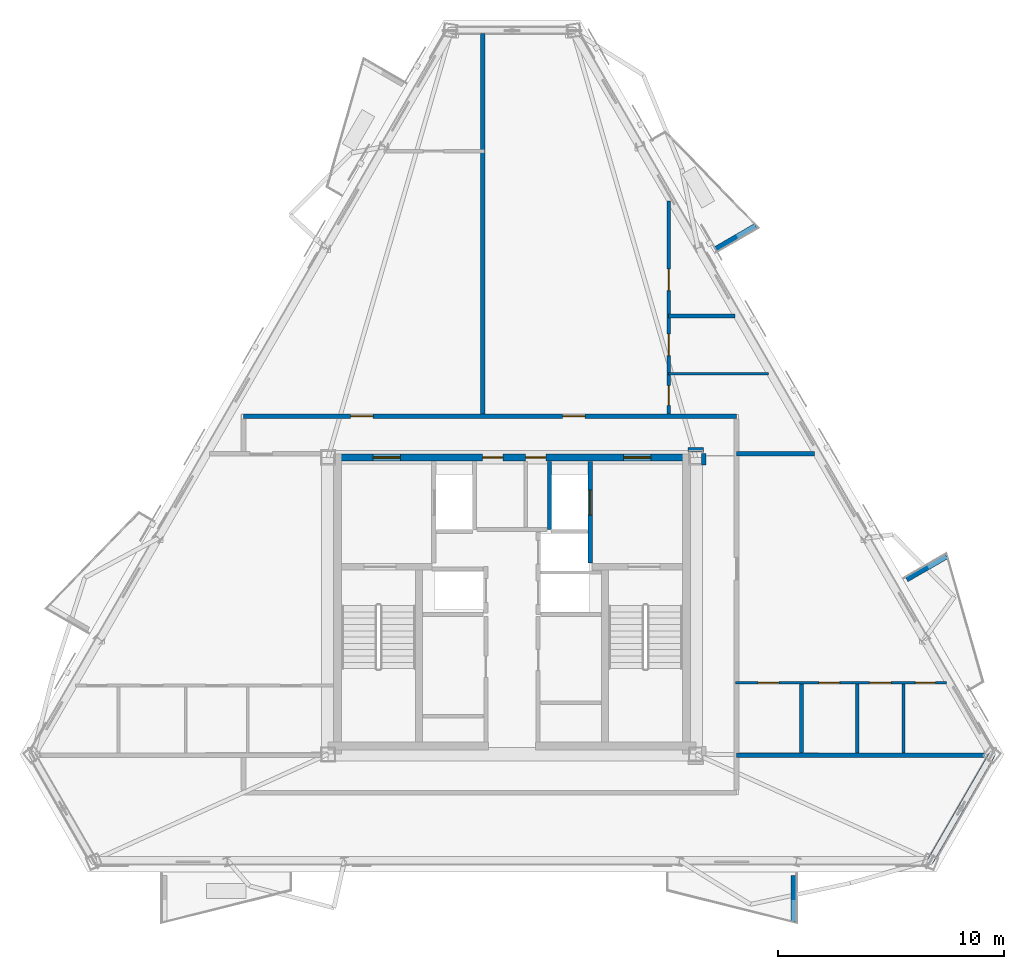
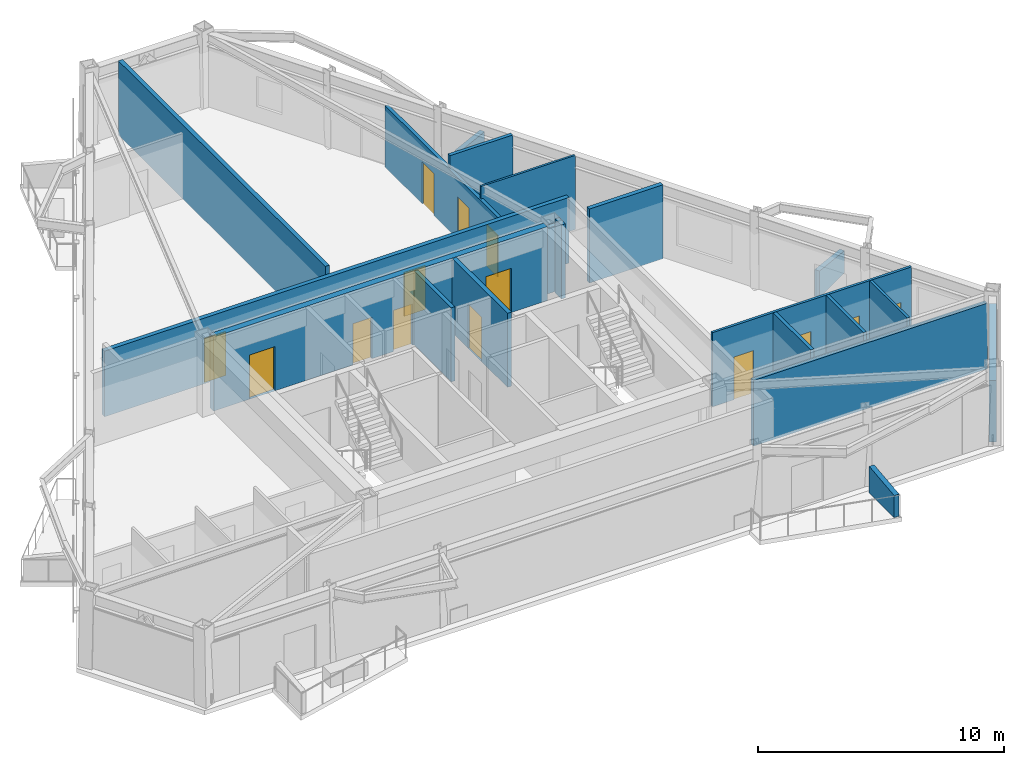
# One storey, part 4 of 9: 20 walls, 14 doors, 14 openings.
"""IFC4 building model written with IfcOpenShell, lengths in metres."""

from ifc_helpers import new_model, si_unit, direction, frame, frame_2d, origin, place, context, subcontext, project, spatial, polyline, rectangle, outline, extrude, material, layer, layer_set, type_object, element, fill, save


model = new_model("IFC4")

# Units and contexts
model_context = context("Model", 3, precision=1e-05, world=origin(), true_north=direction((0.0, 1.0)))
body_context = subcontext(model_context, "Body", "Model", "MODEL_VIEW")
ifc_project = project(units=[si_unit("LENGTHUNIT", "METRE"), si_unit("AREAUNIT", "SQUARE_METRE"), si_unit("VOLUMEUNIT", "CUBIC_METRE"), si_unit("PLANEANGLEUNIT", "RADIAN"), si_unit("MASSUNIT", "GRAM", prefix="KILO")], contexts=[model_context])

# Site, building, storey
site_placement = place(None, origin())
site = spatial("IfcSite", under=ifc_project, at=site_placement, CompositionType="ELEMENT")
building_placement = place(site_placement, origin())
building = spatial("IfcBuilding", under=site, at=building_placement, Name="Oramaril Tower", CompositionType="ELEMENT")
storey_placement = place(building_placement, frame((0.0, 0.0, 249.89990234375)))
storey = spatial("IfcBuildingStorey", under=building, at=storey_placement, Name="L66", CompositionType="ELEMENT", Elevation=249.89990234375)

# Walls
ifc_material_1 = material(Name="Warm Cream Limestone", Category="masonry")
ifc_layer_1 = layer(ifc_material_1, 0.2900390625)
ifc_layer_set_1 = layer_set([ifc_layer_1], Name="WT-EXT29")
wall_type_1 = type_object("IfcWallType", Name="WT-EXT29", PredefinedType="SOLIDWALL", material=ifc_layer_set_1)
wall_1_placement = place(storey_placement, frame((56.026123046875, 6.23046875, 0.0), z_axis=(0.0, 0.0, 1.0), x_axis=(0.500013385357, 0.866017675607, 0.0)))
element("IfcWall", 1, at=wall_1_placement, inside=storey, type_object=wall_type_1, Name="L66 Tower Limestone Facade Wall 3M", PredefinedType="SOLIDWALL", context=body_context, shape_type="SweptSolid", body=[
    extrude(rectangle(XDim=5.496337890625, YDim=0.2900390625, at=frame_2d((2.748046875, 0.0))), origin(), (0.0, 0.0, 1.0), 3.05810546875),
])
ifc_material_2 = material(Name="Concrete C40/50", Category="concrete")
ifc_layer_2 = layer(ifc_material_2, 0.22998046875)
ifc_layer_set_2 = layer_set([ifc_layer_2], Name="WT-PRP23")
wall_type_2 = type_object("IfcWallType", Name="WT-PRP23", PredefinedType="PARAPET", material=ifc_layer_set_2)
for number, where, z_axis, x_axis, name in (
    (2, (49.98681640625, 5.632568359375, 0.0), (0.0, 0.0, 1.0), (0.0, -1.0, 0.0), "L66 Trapezoidal Balcony Frame Cheek L66-BAL-S2-R"),
    (3, (54.989990234375, 18.7412109375, 0.0), (0.0, 0.0, 1.0), (0.866042246008, 0.499970827278, 0.0), "L66 Trapezoidal Balcony Frame Cheek L66-BAL-NE1-R"),
    (4, (46.53076171875, 33.393310546875, 0.0), (0.0, 0.0, 1.0), (0.866042246008, 0.499970827278, 0.0), "L66 Trapezoidal Balcony Frame Cheek L66-BAL-NE2-L"),
):
    element("IfcWall", number, at=place(storey_placement, frame(where, z_axis=z_axis, x_axis=x_axis)), inside=storey, type_object=wall_type_2, Name=name, PredefinedType="PARAPET", context=body_context, shape_type="SweptSolid", body=[
        extrude(outline(polyline([(0.0, 0.0), (2.0419921875, 0.0), (2.0419921875, 1.10009765625), (0.0, 1.320068359375), (0.0, 0.0)])), frame((0.0, 0.114990234375, 0.0), z_axis=(0.0, -1.0, 0.0), x_axis=(1.0, 0.0, 0.0)), (0.0, 0.0, 1.0), 0.22998046875),
    ])
ifc_material_3 = material(Name="Acoustic Gypsum Board Partition")
ifc_layer_3 = layer(ifc_material_3, 0.10009765625)
ifc_layer_set_3 = layer_set([ifc_layer_3], Name="WT-PT10")
wall_type_3 = type_object("IfcWallType", Name="WT-PT10", PredefinedType="PARTITIONING", material=ifc_layer_set_3)
wall_2_placement = place(storey_placement, frame((44.43505859375, 27.860107421875, 0.0), z_axis=(0.0, 0.0, 1.0), x_axis=(1.0, 0.0, 0.0)))
element("IfcWall", 5, at=wall_2_placement, inside=storey, type_object=wall_type_3, Name="L66 Interior Partition PT-10", PredefinedType="PARTITIONING", context=body_context, shape_type="SweptSolid", body=[
    extrude(rectangle(XDim=4.427734375, YDim=0.10009765625, at=frame_2d((2.2138671875, 0.0))), origin(), (0.0, 0.0, 1.0), 3.68017578125),
])

# Wall, openings, doors
ifc_material_4 = material(Name="Acoustic Gypsum Board Partition")
ifc_layer_4 = layer(ifc_material_4, 0.1201171875)
ifc_layer_set_4 = layer_set([ifc_layer_4], Name="WT-PT12")
wall_type_4 = type_object("IfcWallType", Name="WT-PT12", PredefinedType="PARTITIONING", material=ifc_layer_set_4)
wall_3_placement = place(storey_placement, frame((47.39990234375, 14.169921875, 0.0), z_axis=(0.0, 0.0, 1.0), x_axis=(1.0, 0.0, 0.0)))
wall_3 = element("IfcWall", 6, at=wall_3_placement, inside=storey, type_object=wall_type_4, Name="L66 Interior Partition PT-12", PredefinedType="PARTITIONING", context=body_context, shape_type="SweptSolid", body=[
    extrude(rectangle(XDim=9.36669921875, YDim=0.1201171875, at=frame_2d((4.683349609375, 0.0))), origin(), (0.0, 0.0, 1.0), 3.68017578125),
])
opening_1_placement = place(wall_3_placement, frame((1.012939453125, 0.0, 0.0)))
opening_1 = element("IfcOpeningElement", 7, at=opening_1_placement, cuts=wall_3, Name="Opening D-L66-05", PredefinedType="OPENING", context=body_context, shape_type="SweptSolid", body=[
    extrude(rectangle(XDim=0.919921875, YDim=2.1201171875, at=frame_2d((0.4599609375, 1.06005859375))), frame((0.0, 0.06005859375, 0.0), z_axis=(0.0, -1.0, 0.0), x_axis=(1.0, 0.0, 0.0)), (0.0, 0.0, 1.0), 0.1201171875),
])
opening_2_placement = place(wall_3_placement, frame((3.70361328125, 0.0, 0.0)))
opening_2 = element("IfcOpeningElement", 8, at=opening_2_placement, cuts=wall_3, Name="Opening D-L66-06", PredefinedType="OPENING", context=body_context, shape_type="SweptSolid", body=[
    extrude(rectangle(XDim=0.919921875, YDim=2.1201171875, at=frame_2d((0.4599609375, 1.06005859375))), frame((0.0, 0.06005859375, 0.0), z_axis=(0.0, -1.0, 0.0), x_axis=(1.0, 0.0, 0.0)), (0.0, 0.0, 1.0), 0.1201171875),
])
opening_3_placement = place(wall_3_placement, frame((5.951416015625, 0.0, 0.0)))
opening_3 = element("IfcOpeningElement", 9, at=opening_3_placement, cuts=wall_3, Name="Opening D-L66-07", PredefinedType="OPENING", context=body_context, shape_type="SweptSolid", body=[
    extrude(rectangle(XDim=0.949951171875, YDim=2.10009765625, at=frame_2d((0.47509765625, 1.050048828125))), frame((0.0, 0.06005859375, 0.0), z_axis=(0.0, -1.0, 0.0), x_axis=(1.0, 0.0, 0.0)), (0.0, 0.0, 1.0), 0.1201171875),
])
opening_4_placement = place(wall_3_placement, frame((7.9833984375, 0.0, 0.0)))
opening_4 = element("IfcOpeningElement", 10, at=opening_4_placement, cuts=wall_3, Name="Opening D-L66-08", PredefinedType="OPENING", context=body_context, shape_type="SweptSolid", body=[
    extrude(rectangle(XDim=0.8798828125, YDim=2.080078125, at=frame_2d((0.43994140625, 1.0400390625))), frame((0.0, 0.06005859375, 0.0), z_axis=(0.0, -1.0, 0.0), x_axis=(1.0, 0.0, 0.0)), (0.0, 0.0, 1.0), 0.1201171875),
])
ifc_material_5 = material(Name="FSC Brazilian Freijo Hardwood", Category="wood")
door_type_1 = type_object("IfcDoorType", Name="DT-BATH", OperationType="NOTDEFINED", PredefinedType="DOOR", material=ifc_material_5)
door_1_placement = place(opening_4_placement, origin())
door_1 = element("IfcDoor", 11, at=door_1_placement, inside=storey, type_object=door_type_1, Name="L66 Flat L66-U3 Bathroom Door D-L66-08", OperationType="SINGLE_SWING_LEFT", OverallHeight=2.080078125, OverallWidth=0.8798828125, PredefinedType="DOOR", context=body_context, shape_type="SweptSolid", body=[
    extrude(rectangle(XDim=0.8798828125, YDim=2.080078125, at=frame_2d((0.43994140625, 1.0400390625))), frame((0.0, 0.02490234375, 0.0), z_axis=(0.0, -1.0, 0.0), x_axis=(1.0, 0.0, 0.0)), (0.0, 0.0, 1.0), 0.050048828125),
])
fill(opening_4, door_1)
ifc_material_6 = material(Name="FSC Brazilian Freijo Hardwood", Category="wood")
door_type_2 = type_object("IfcDoorType", Name="DT-BED", OperationType="NOTDEFINED", PredefinedType="DOOR", material=ifc_material_6)
door_2_placement = place(opening_1_placement, origin())
door_2 = element("IfcDoor", 12, at=door_2_placement, inside=storey, type_object=door_type_2, Name="L66 Flat L66-U3 Master Bedroom Door D-L66-05", OperationType="SINGLE_SWING_RIGHT", OverallHeight=2.1201171875, OverallWidth=0.919921875, PredefinedType="DOOR", context=body_context, shape_type="SweptSolid", body=[
    extrude(rectangle(XDim=0.919921875, YDim=2.1201171875, at=frame_2d((0.4599609375, 1.06005859375))), frame((0.0, 0.02490234375, 0.0), z_axis=(0.0, -1.0, 0.0), x_axis=(1.0, 0.0, 0.0)), (0.0, 0.0, 1.0), 0.050048828125),
])
fill(opening_1, door_2)
door_3_placement = place(opening_2_placement, origin())
door_3 = element("IfcDoor", 13, at=door_3_placement, inside=storey, type_object=door_type_2, Name="L66 Flat L66-U3 Bedroom 2 Door D-L66-06", OperationType="SINGLE_SWING_LEFT", OverallHeight=2.1201171875, OverallWidth=0.919921875, PredefinedType="DOOR", context=body_context, shape_type="SweptSolid", body=[
    extrude(rectangle(XDim=0.919921875, YDim=2.1201171875, at=frame_2d((0.4599609375, 1.06005859375))), frame((0.0, 0.02490234375, 0.0), z_axis=(0.0, -1.0, 0.0), x_axis=(1.0, 0.0, 0.0)), (0.0, 0.0, 1.0), 0.050048828125),
])
fill(opening_2, door_3)
ifc_material_7 = material(Name="FSC Brazilian Freijo Hardwood", Category="wood")
door_type_3 = type_object("IfcDoorType", Name="DT-STDY", OperationType="NOTDEFINED", PredefinedType="DOOR", material=ifc_material_7)
door_4_placement = place(opening_3_placement, origin())
door_4 = element("IfcDoor", 14, at=door_4_placement, inside=storey, type_object=door_type_3, Name="L66 Flat L66-U3 Kitchen Door D-L66-07", OperationType="SINGLE_SWING_RIGHT", OverallHeight=2.10009765625, OverallWidth=0.949951171875, PredefinedType="DOOR", context=body_context, shape_type="SweptSolid", body=[
    extrude(rectangle(XDim=0.949951171875, YDim=2.10009765625, at=frame_2d((0.47509765625, 1.050048828125))), frame((0.0, 0.02490234375, 0.0), z_axis=(0.0, -1.0, 0.0), x_axis=(1.0, 0.0, 0.0)), (0.0, 0.0, 1.0), 0.050048828125),
])
fill(opening_3, door_4)

# Walls
wall_4_placement = place(storey_placement, frame((54.85009765625, 11.053955078125, 0.0), z_axis=(0.0, 0.0, 1.0), x_axis=(0.0, 1.0, 0.0)))
element("IfcWall", 15, at=wall_4_placement, inside=storey, type_object=wall_type_4, Name="L66 Interior Partition PT-12", PredefinedType="PARTITIONING", context=body_context, shape_type="SweptSolid", body=[
    extrude(rectangle(XDim=3.052001953125, YDim=0.1201171875, at=frame_2d((1.52587890625, 0.0))), origin(), (0.0, 0.0, 1.0), 3.68017578125),
])
ifc_material_8 = material(Name="Acoustic Gypsum Board Partition")
ifc_layer_5 = layer(ifc_material_8, 0.139892578125)
ifc_layer_set_5 = layer_set([ifc_layer_5], Name="WT-PT14")
wall_type_5 = type_object("IfcWallType", Name="WT-PT14", PredefinedType="PARTITIONING", material=ifc_layer_set_5)
wall_5_placement = place(storey_placement, frame((52.800048828125, 11.053955078125, 0.0), z_axis=(0.0, 0.0, 1.0), x_axis=(0.0, 1.0, 0.0)))
element("IfcWall", 16, at=wall_5_placement, inside=storey, type_object=wall_type_5, Name="L66 Interior Partition PT-14", PredefinedType="PARTITIONING", context=body_context, shape_type="SweptSolid", body=[
    extrude(rectangle(XDim=3.052001953125, YDim=0.139892578125, at=frame_2d((1.52587890625, 0.0))), origin(), (0.0, 0.0, 1.0), 3.68017578125),
])
ifc_material_9 = material(Name="Acoustic Gypsum Board Partition")
ifc_layer_6 = layer(ifc_material_9, 0.159912109375)
ifc_layer_set_6 = layer_set([ifc_layer_6], Name="WT-PT16")
wall_type_6 = type_object("IfcWallType", Name="WT-PT16", PredefinedType="PARTITIONING", material=ifc_layer_set_6)
wall_6_placement = place(storey_placement, frame((44.43505859375, 30.419921875, 0.0), z_axis=(0.0, 0.0, 1.0), x_axis=(1.0, 0.0, 0.0)))
element("IfcWall", 17, at=wall_6_placement, inside=storey, type_object=wall_type_6, Name="L66 Interior Partition PT-16", PredefinedType="PARTITIONING", context=body_context, shape_type="SweptSolid", body=[
    extrude(rectangle(XDim=2.94970703125, YDim=0.159912109375, at=frame_2d((1.474853515625, 0.0))), origin(), (0.0, 0.0, 1.0), 3.68017578125),
])

# Wall, openings, doors
wall_7_placement = place(storey_placement, frame((44.43994140625, 26.073974609375, 0.0), z_axis=(0.0, 0.0, 1.0), x_axis=(0.0, 1.0, 0.0)))
wall_7 = element("IfcWall", 18, at=wall_7_placement, inside=storey, type_object=wall_type_6, Name="L66 Interior Partition PT-16", PredefinedType="PARTITIONING", context=body_context, shape_type="SweptSolid", body=[
    extrude(rectangle(XDim=9.446533203125, YDim=0.159912109375, at=frame_2d((4.72314453125, 0.0))), origin(), (0.0, 0.0, 1.0), 3.05810546875),
])
opening_5_placement = place(wall_7_placement, frame((0.385986328125, 0.0, 0.0)))
opening_5 = element("IfcOpeningElement", 19, at=opening_5_placement, cuts=wall_7, Name="Opening D-L66-13", PredefinedType="OPENING", context=body_context, shape_type="SweptSolid", body=[
    extrude(rectangle(XDim=0.8798828125, YDim=2.080078125, at=frame_2d((0.43994140625, 1.0400390625))), frame((0.0, 0.080078125, 0.0), z_axis=(0.0, -1.0, 0.0), x_axis=(1.0, 0.0, 0.0)), (0.0, 0.0, 1.0), 0.159912109375),
])
opening_6_placement = place(wall_7_placement, frame((2.593017578125, 0.0, 0.0)))
opening_6 = element("IfcOpeningElement", 20, at=opening_6_placement, cuts=wall_7, Name="Opening D-L66-14", PredefinedType="OPENING", context=body_context, shape_type="SweptSolid", body=[
    extrude(rectangle(XDim=0.949951171875, YDim=2.10009765625, at=frame_2d((0.47509765625, 1.050048828125))), frame((0.0, 0.080078125, 0.0), z_axis=(0.0, -1.0, 0.0), x_axis=(1.0, 0.0, 0.0)), (0.0, 0.0, 1.0), 0.159912109375),
])
opening_7_placement = place(wall_7_placement, frame((5.46826171875, 0.0, 0.0)))
opening_7 = element("IfcOpeningElement", 21, at=opening_7_placement, cuts=wall_7, Name="Opening D-L66-15", PredefinedType="OPENING", context=body_context, shape_type="SweptSolid", body=[
    extrude(rectangle(XDim=0.949951171875, YDim=2.10009765625, at=frame_2d((0.47509765625, 1.050048828125))), frame((0.0, 0.080078125, 0.0), z_axis=(0.0, -1.0, 0.0), x_axis=(1.0, 0.0, 0.0)), (0.0, 0.0, 1.0), 0.159912109375),
])
door_5_placement = place(opening_5_placement, origin())
door_5 = element("IfcDoor", 22, at=door_5_placement, inside=storey, type_object=door_type_1, Name="L66 Flat L66-U5 Bathroom Door D-L66-13", OperationType="SINGLE_SWING_RIGHT", OverallHeight=2.080078125, OverallWidth=0.8798828125, PredefinedType="DOOR", context=body_context, shape_type="SweptSolid", body=[
    extrude(rectangle(XDim=0.8798828125, YDim=2.080078125, at=frame_2d((0.43994140625, 1.0400390625))), frame((0.0, 0.02490234375, 0.0), z_axis=(0.0, -1.0, 0.0), x_axis=(1.0, 0.0, 0.0)), (0.0, 0.0, 1.0), 0.050048828125),
])
fill(opening_5, door_5)
door_6_placement = place(opening_6_placement, origin())
door_6 = element("IfcDoor", 23, at=door_6_placement, inside=storey, type_object=door_type_3, Name="L66 Flat L66-U5 Kitchen Door D-L66-14", OperationType="SINGLE_SWING_LEFT", OverallHeight=2.10009765625, OverallWidth=0.949951171875, PredefinedType="DOOR", context=body_context, shape_type="SweptSolid", body=[
    extrude(rectangle(XDim=0.949951171875, YDim=2.10009765625, at=frame_2d((0.47509765625, 1.050048828125))), frame((0.0, 0.02490234375, 0.0), z_axis=(0.0, -1.0, 0.0), x_axis=(1.0, 0.0, 0.0)), (0.0, 0.0, 1.0), 0.050048828125),
])
fill(opening_6, door_6)
door_7_placement = place(opening_7_placement, origin())
door_7 = element("IfcDoor", 24, at=door_7_placement, inside=storey, type_object=door_type_3, Name="L66 Flat L66-U5 Breakfast Dining Room Door D-L66-15", OperationType="SINGLE_SWING_RIGHT", OverallHeight=2.10009765625, OverallWidth=0.949951171875, PredefinedType="DOOR", context=body_context, shape_type="SweptSolid", body=[
    extrude(rectangle(XDim=0.949951171875, YDim=2.10009765625, at=frame_2d((0.47509765625, 1.050048828125))), frame((0.0, 0.02490234375, 0.0), z_axis=(0.0, -1.0, 0.0), x_axis=(1.0, 0.0, 0.0)), (0.0, 0.0, 1.0), 0.050048828125),
])
fill(opening_7, door_7)

# Walls
wall_8_placement = place(storey_placement, frame((50.330078125, 11.053955078125, 0.0), z_axis=(0.0, 0.0, 1.0), x_axis=(0.0, 1.0, 0.0)))
element("IfcWall", 25, at=wall_8_placement, inside=storey, type_object=wall_type_6, Name="L66 Interior Partition PT-16", PredefinedType="PARTITIONING", context=body_context, shape_type="SweptSolid", body=[
    extrude(rectangle(XDim=3.052001953125, YDim=0.159912109375, at=frame_2d((1.52587890625, 0.0))), origin(), (0.0, 0.0, 1.0), 3.68017578125),
])
ifc_material_10 = material(Name="Autoclaved Cellular Concrete Block", Category="concrete")
ifc_layer_7 = layer(ifc_material_10, 0.179931640625)
ifc_layer_set_7 = layer_set([ifc_layer_7], Name="WT-PT18")
wall_type_7 = type_object("IfcWallType", Name="WT-PT18", PredefinedType="PARTITIONING", material=ifc_layer_set_7)
wall_9_placement = place(storey_placement, frame((39.159912109375, 20.9599609375, 0.0), z_axis=(0.0, 0.0, 1.0), x_axis=(0.0, 1.0, 0.0)))
element("IfcWall", 26, at=wall_9_placement, inside=storey, type_object=wall_type_7, Name="L66 FL-2 West Shaft Wall", PredefinedType="PARTITIONING", context=body_context, shape_type="SweptSolid", body=[
    extrude(rectangle(XDim=3.02001953125, YDim=0.179931640625, at=frame_2d((1.510009765625, 0.0))), origin(), (0.0, 0.0, 1.0), 3.68017578125),
])
ifc_material_11 = material(Name="Autoclaved Cellular Concrete Block", Category="concrete")
ifc_layer_8 = layer(ifc_material_11, 0.199951171875)
ifc_layer_set_8 = layer_set([ifc_layer_8], Name="WT-PT20")
wall_type_8 = type_object("IfcWallType", Name="WT-PT20", PredefinedType="PARTITIONING", material=ifc_layer_set_8)
wall_10_placement = place(storey_placement, frame((47.449951171875, 10.949951171875, 0.0), z_axis=(0.0, 0.0, 1.0), x_axis=(1.0, 0.0, 0.0)))
element("IfcWall", 27, at=wall_10_placement, inside=storey, type_object=wall_type_8, Name="L66 Interior Partition PT-20", PredefinedType="PARTITIONING", context=body_context, shape_type="SweptSolid", body=[
    extrude(rectangle(XDim=10.989013671875, YDim=0.199951171875, at=frame_2d((5.49462890625, 0.0))), origin(), (0.0, 0.0, 1.0), 3.26611328125),
])
wall_11_placement = place(storey_placement, frame((47.449951171875, 24.320068359375, 0.0), z_axis=(0.0, 0.0, 1.0), x_axis=(1.0, 0.0, 0.0)))
element("IfcWall", 28, at=wall_11_placement, inside=storey, type_object=wall_type_8, Name="L66 Interior Partition PT-20", PredefinedType="PARTITIONING", context=body_context, shape_type="SweptSolid", body=[
    extrude(rectangle(XDim=3.45654296875, YDim=0.199951171875, at=frame_2d((1.728271484375, 0.0))), origin(), (0.0, 0.0, 1.0), 3.68017578125),
])
wall_12_placement = place(storey_placement, frame((45.304931640625, 24.5, 0.0), z_axis=(0.0, 0.0, 1.0), x_axis=(1.0, 0.0, 0.0)))
element("IfcWall", 29, at=wall_12_placement, inside=storey, type_object=wall_type_8, Name="L66 Interior Partition PT-20", PredefinedType="PARTITIONING", context=body_context, shape_type="SweptSolid", body=[
    extrude(rectangle(XDim=0.690185546875, YDim=0.199951171875, at=frame_2d((0.34521484375, 0.0))), origin(), (0.0, 0.0, 1.0), 3.26611328125),
])

# Wall, openings, doors
wall_13_placement = place(storey_placement, frame((25.60009765625, 25.969970703125, 0.0), z_axis=(0.0, 0.0, 1.0), x_axis=(1.0, 0.0, 0.0)))
wall_13 = element("IfcWall", 30, at=wall_13_placement, inside=storey, type_object=wall_type_8, Name="L66 Interior Partition PT-20", PredefinedType="PARTITIONING", context=body_context, shape_type="SweptSolid", body=[
    extrude(rectangle(XDim=21.849853515625, YDim=0.199951171875, at=frame_2d((10.9248046875, 0.0))), origin(), (0.0, 0.0, 1.0), 3.26611328125),
])
opening_8_placement = place(wall_13_placement, frame((4.74658203125, 0.0, 0.0)))
opening_8 = element("IfcOpeningElement", 31, at=opening_8_placement, cuts=wall_13, Name="Opening D-L66-10", PredefinedType="OPENING", context=body_context, shape_type="SweptSolid", body=[
    extrude(rectangle(XDim=1.0, YDim=2.179931640625, at=frame_2d((0.5, 1.08984375))), frame((0.0, 0.10009765625, 0.0), z_axis=(0.0, -1.0, 0.0), x_axis=(1.0, 0.0, 0.0)), (0.0, 0.0, 1.0), 0.199951171875),
])
opening_9_placement = place(wall_13_placement, frame((14.142578125, 0.0, 0.0)))
opening_9 = element("IfcOpeningElement", 32, at=opening_9_placement, cuts=wall_13, Name="Opening D-L66-11", PredefinedType="OPENING", context=body_context, shape_type="SweptSolid", body=[
    extrude(rectangle(XDim=1.0, YDim=2.179931640625, at=frame_2d((0.5, 1.08984375))), frame((0.0, 0.10009765625, 0.0), z_axis=(0.0, -1.0, 0.0), x_axis=(1.0, 0.0, 0.0)), (0.0, 0.0, 1.0), 0.199951171875),
])
ifc_material_12 = material(Name="FSC Brazilian Freijo Hardwood", Category="wood")
door_type_4 = type_object("IfcDoorType", Name="DT-APT", OperationType="NOTDEFINED", PredefinedType="DOOR", material=ifc_material_12)
door_8_placement = place(opening_8_placement, origin())
door_8 = element("IfcDoor", 33, at=door_8_placement, inside=storey, type_object=door_type_4, Name="L66 Flat L66-U4 Kitchen and Studio Apartment Door D-L66-10", OperationType="SINGLE_SWING_LEFT", OverallHeight=2.179931640625, OverallWidth=1.0, PredefinedType="DOOR", context=body_context, shape_type="SweptSolid", body=[
    extrude(rectangle(XDim=1.0, YDim=2.179931640625, at=frame_2d((0.5, 1.08984375))), frame((0.0, 0.02490234375, 0.0), z_axis=(0.0, -1.0, 0.0), x_axis=(1.0, 0.0, 0.0)), (0.0, 0.0, 1.0), 0.050048828125),
])
fill(opening_8, door_8)
door_9_placement = place(opening_9_placement, origin())
door_9 = element("IfcDoor", 34, at=door_9_placement, inside=storey, type_object=door_type_4, Name="L66 Flat L66-U5 Studio Apartment Door D-L66-11", OperationType="SINGLE_SWING_RIGHT", OverallHeight=2.179931640625, OverallWidth=1.0, PredefinedType="DOOR", context=body_context, shape_type="SweptSolid", body=[
    extrude(rectangle(XDim=1.0, YDim=2.179931640625, at=frame_2d((0.5, 1.08984375))), frame((0.0, 0.02490234375, 0.0), z_axis=(0.0, -1.0, 0.0), x_axis=(1.0, 0.0, 0.0)), (0.0, 0.0, 1.0), 0.050048828125),
])
fill(opening_9, door_9)

# Walls
wall_14_placement = place(storey_placement, frame((36.199951171875, 26.073974609375, 0.0), z_axis=(0.0, 0.0, 1.0), x_axis=(0.0, 1.0, 0.0)))
element("IfcWall", 35, at=wall_14_placement, inside=storey, type_object=wall_type_8, Name="L66 Interior Partition PT-20", PredefinedType="PARTITIONING", context=body_context, shape_type="SweptSolid", body=[
    extrude(rectangle(XDim=16.85595703125, YDim=0.199951171875, at=frame_2d((8.427978515625, 0.0))), origin(), (0.0, 0.0, 1.0), 3.68017578125),
])
wall_15_placement = place(storey_placement, frame((45.989990234375, 23.81005859375, 0.0), z_axis=(0.0, 0.0, 1.0), x_axis=(0.0, 1.0, 0.0)))
element("IfcWall", 36, at=wall_15_placement, inside=storey, type_object=wall_type_8, Name="L66 Interior Partition PT-20", PredefinedType="PARTITIONING", context=body_context, shape_type="SweptSolid", body=[
    extrude(rectangle(XDim=0.510009765625, YDim=0.199951171875, at=frame_2d((0.2548828125, 0.0))), origin(), (0.0, 0.0, 1.0), 3.68017578125),
])

# Wall, openings, doors
ifc_material_13 = material(Name="Concrete C50/60", Category="concrete")
ifc_layer_9 = layer(ifc_material_13, 0.300048828125)
ifc_layer_set_9 = layer_set([ifc_layer_9], Name="WT-SH30")
wall_type_9 = type_object("IfcWallType", Name="WT-SH30", PredefinedType="SHEAR", material=ifc_layer_set_9)
wall_16_placement = place(storey_placement, frame((29.64990234375, 24.14990234375, 0.0), z_axis=(0.0, 0.0, 1.0), x_axis=(1.0, 0.0, 0.0)))
wall_16 = element("IfcWall", 37, at=wall_16_placement, inside=storey, type_object=wall_type_9, Name="L66 Core Shear Wall CW-N", PredefinedType="SHEAR", context=body_context, shape_type="SweptSolid", body=[
    extrude(rectangle(XDim=15.7001953125, YDim=0.300048828125, at=frame_2d((7.85009765625, 0.0))), origin(), (0.0, 0.0, 1.0), 3.68017578125),
])
opening_10_placement = place(wall_16_placement, frame((1.699951171875, 0.0, 0.0)))
opening_10 = element("IfcOpeningElement", 38, at=opening_10_placement, cuts=wall_16, Name="Opening D-L66-FFL1", PredefinedType="OPENING", context=body_context, shape_type="SweptSolid", body=[
    extrude(rectangle(XDim=1.199951171875, YDim=2.199951171875, at=frame_2d((0.60009765625, 1.10009765625))), frame((0.0, 0.14990234375, 0.0), z_axis=(0.0, -1.0, 0.0), x_axis=(1.0, 0.0, 0.0)), (0.0, 0.0, 1.0), 0.300048828125),
])
opening_11_placement = place(wall_16_placement, frame((12.800048828125, 0.0, 0.0)))
opening_11 = element("IfcOpeningElement", 39, at=opening_11_placement, cuts=wall_16, Name="Opening D-L66-FFL2", PredefinedType="OPENING", context=body_context, shape_type="SweptSolid", body=[
    extrude(rectangle(XDim=1.199951171875, YDim=2.199951171875, at=frame_2d((0.60009765625, 1.10009765625))), frame((0.0, 0.14990234375, 0.0), z_axis=(0.0, -1.0, 0.0), x_axis=(1.0, 0.0, 0.0)), (0.0, 0.0, 1.0), 0.300048828125),
])
opening_12_placement = place(wall_16_placement, frame((6.550048828125, 0.0, 0.0)))
opening_12 = element("IfcOpeningElement", 40, at=opening_12_placement, cuts=wall_16, Name="Opening D-L66-SV1", PredefinedType="OPENING", context=body_context, shape_type="SweptSolid", body=[
    extrude(rectangle(XDim=0.89990234375, YDim=2.050048828125, at=frame_2d((0.449951171875, 1.02490234375))), frame((0.0, 0.14990234375, 0.0), z_axis=(0.0, -1.0, 0.0), x_axis=(1.0, 0.0, 0.0)), (0.0, 0.0, 1.0), 0.300048828125),
])
opening_13_placement = place(wall_16_placement, frame((8.449951171875, 0.0, 0.0)))
opening_13 = element("IfcOpeningElement", 41, at=opening_13_placement, cuts=wall_16, Name="Opening D-L66-SV2", PredefinedType="OPENING", context=body_context, shape_type="SweptSolid", body=[
    extrude(rectangle(XDim=0.89990234375, YDim=2.050048828125, at=frame_2d((0.449951171875, 1.02490234375))), frame((0.0, 0.14990234375, 0.0), z_axis=(0.0, -1.0, 0.0), x_axis=(1.0, 0.0, 0.0)), (0.0, 0.0, 1.0), 0.300048828125),
])
ifc_material_14 = material(Name="Painted Galvanised Steel", Category="steel")
door_type_5 = type_object("IfcDoorType", Name="DT-FFL", OperationType="NOTDEFINED", PredefinedType="DOOR", material=ifc_material_14)
door_10_placement = place(opening_10_placement, origin())
door_10 = element("IfcDoor", 42, at=door_10_placement, inside=storey, type_object=door_type_5, Name="L66 Firefighting Lobby 1 Fire Door", OperationType="SINGLE_SWING_LEFT", OverallHeight=2.199951171875, OverallWidth=1.199951171875, PredefinedType="DOOR", context=body_context, shape_type="SweptSolid", body=[
    extrude(rectangle(XDim=1.199951171875, YDim=2.199951171875, at=frame_2d((0.60009765625, 1.10009765625))), frame((0.0, 0.02490234375, 0.0), z_axis=(0.0, -1.0, 0.0), x_axis=(1.0, 0.0, 0.0)), (0.0, 0.0, 1.0), 0.050048828125),
])
fill(opening_10, door_10)
door_11_placement = place(opening_11_placement, origin())
door_11 = element("IfcDoor", 43, at=door_11_placement, inside=storey, type_object=door_type_5, Name="L66 Firefighting Lobby 2 Fire Door", OperationType="SINGLE_SWING_RIGHT", OverallHeight=2.199951171875, OverallWidth=1.199951171875, PredefinedType="DOOR", context=body_context, shape_type="SweptSolid", body=[
    extrude(rectangle(XDim=1.199951171875, YDim=2.199951171875, at=frame_2d((0.60009765625, 1.10009765625))), frame((0.0, 0.02490234375, 0.0), z_axis=(0.0, -1.0, 0.0), x_axis=(1.0, 0.0, 0.0)), (0.0, 0.0, 1.0), 0.050048828125),
])
fill(opening_11, door_11)
ifc_material_15 = material(Name="Painted Galvanised Steel", Category="steel")
door_type_6 = type_object("IfcDoorType", Name="DT-SVC", OperationType="NOTDEFINED", PredefinedType="DOOR", material=ifc_material_15)
door_12_placement = place(opening_12_placement, origin())
door_12 = element("IfcDoor", 44, at=door_12_placement, inside=storey, type_object=door_type_6, Name="L66 Core Service Store 1 Door", OperationType="SINGLE_SWING_LEFT", OverallHeight=2.050048828125, OverallWidth=0.89990234375, PredefinedType="DOOR", context=body_context, shape_type="SweptSolid", body=[
    extrude(rectangle(XDim=0.89990234375, YDim=2.050048828125, at=frame_2d((0.449951171875, 1.02490234375))), frame((0.0, 0.02490234375, 0.0), z_axis=(0.0, -1.0, 0.0), x_axis=(1.0, 0.0, 0.0)), (0.0, 0.0, 1.0), 0.050048828125),
])
fill(opening_12, door_12)
door_13_placement = place(opening_13_placement, origin())
door_13 = element("IfcDoor", 45, at=door_13_placement, inside=storey, type_object=door_type_6, Name="L66 Core Service Store 2 Door", OperationType="SINGLE_SWING_RIGHT", OverallHeight=2.050048828125, OverallWidth=0.89990234375, PredefinedType="DOOR", context=body_context, shape_type="SweptSolid", body=[
    extrude(rectangle(XDim=0.89990234375, YDim=2.050048828125, at=frame_2d((0.449951171875, 1.02490234375))), frame((0.0, 0.02490234375, 0.0), z_axis=(0.0, -1.0, 0.0), x_axis=(1.0, 0.0, 0.0)), (0.0, 0.0, 1.0), 0.050048828125),
])
fill(opening_13, door_13)

# Wall, opening, door
ifc_material_16 = material(Name="Autoclaved Cellular Concrete Block", Category="concrete")
ifc_layer_10 = layer(ifc_material_16, 0.199951171875)
ifc_layer_set_10 = layer_set([ifc_layer_10], Name="WT-SHF20")
wall_type_10 = type_object("IfcWallType", Name="WT-SHF20", PredefinedType="PARTITIONING", material=ifc_layer_set_10)
wall_17_placement = place(storey_placement, frame((40.9599609375, 19.47998046875, 0.0), z_axis=(0.0, 0.0, 1.0), x_axis=(0.0, 1.0, 0.0)))
wall_17 = element("IfcWall", 46, at=wall_17_placement, inside=storey, type_object=wall_type_10, Name="L66 FL-2 Lobby Shaft Wall", PredefinedType="PARTITIONING", context=body_context, shape_type="SweptSolid", body=[
    extrude(rectangle(XDim=4.5, YDim=0.199951171875, at=frame_2d((2.25, 0.0))), origin(), (0.0, 0.0, 1.0), 3.68017578125),
])
opening_14_placement = place(wall_17_placement, frame((2.1201171875, 0.0, 0.0)))
opening_14 = element("IfcOpeningElement", 47, at=opening_14_placement, cuts=wall_17, Name="Opening LD-L66-FL-2", PredefinedType="OPENING", context=body_context, shape_type="SweptSolid", body=[
    extrude(rectangle(XDim=1.10009765625, YDim=2.199951171875, at=frame_2d((0.550048828125, 1.10009765625))), frame((0.0, 0.10009765625, 0.0), z_axis=(0.0, -1.0, 0.0), x_axis=(1.0, 0.0, 0.0)), (0.0, 0.0, 1.0), 0.199951171875),
])
ifc_material_17 = material(Name="Stainless Steel 316L", Category="steel")
door_type_7 = type_object("IfcDoorType", Name="DT-LD1", OperationType="NOTDEFINED", PredefinedType="DOOR", material=ifc_material_17)
door_14_placement = place(opening_14_placement, origin())
door_14 = element("IfcDoor", 48, at=door_14_placement, inside=storey, type_object=door_type_7, Name="L66 Lift FL-2 Sliding Landing Door", OperationType="SLIDING_TO_RIGHT", OverallHeight=2.199951171875, OverallWidth=1.10009765625, PredefinedType="DOOR", context=body_context, shape_type="SweptSolid", body=[
    extrude(rectangle(XDim=1.10009765625, YDim=2.199951171875, at=frame_2d((0.550048828125, 1.10009765625))), frame((0.0, 0.02490234375, 0.0), z_axis=(0.0, -1.0, 0.0), x_axis=(1.0, 0.0, 0.0)), (0.0, 0.0, 1.0), 0.050048828125),
])
fill(opening_14, door_14)

save(model, "model.ifc")
